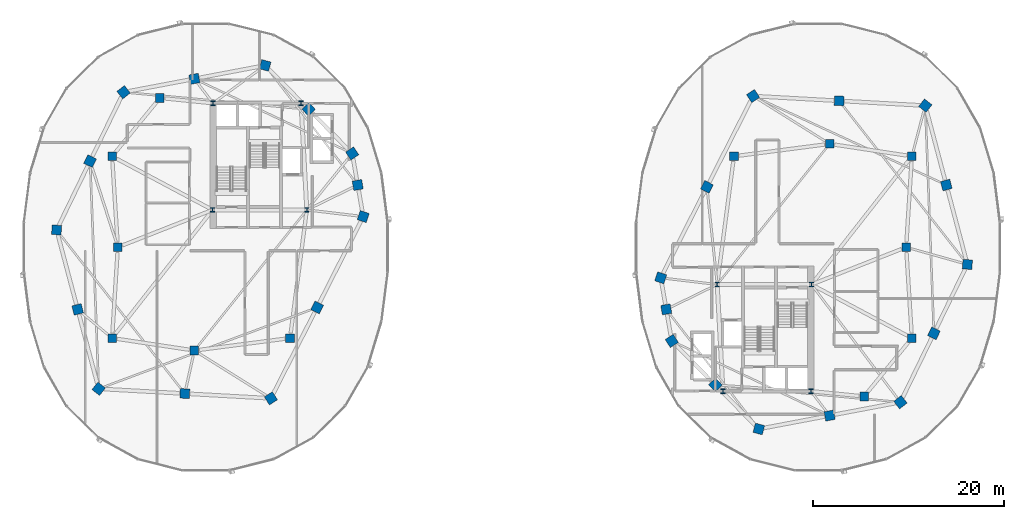
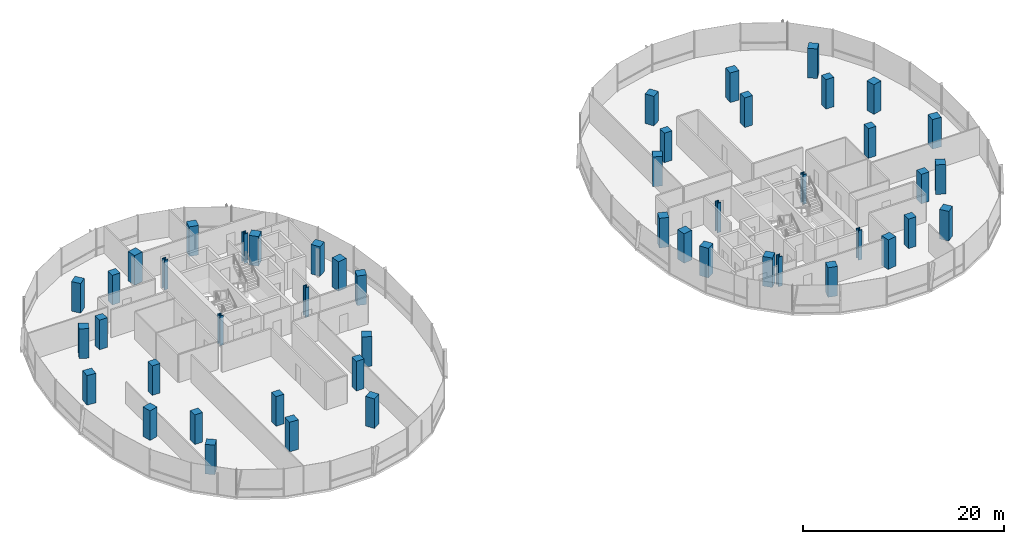
# One storey, part 1 of 22: 48 columns.
"""IFC4 building model written with IfcOpenShell, lengths in metres."""

from ifc_helpers import new_model, si_unit, direction, frame, origin, origin_2d, place, context, subcontext, project, spatial, rectangle, i_section, extrude, material, material_profile, profile_set, type_object, element, save


model = new_model("IFC4")

# Units and contexts
model_context = context("Model", 3, precision=1e-05, world=origin(), true_north=direction((0.0, 1.0)))
body_context = subcontext(model_context, "Body", "Model", "MODEL_VIEW")
ifc_project = project(units=[si_unit("LENGTHUNIT", "METRE"), si_unit("AREAUNIT", "SQUARE_METRE"), si_unit("VOLUMEUNIT", "CUBIC_METRE"), si_unit("PLANEANGLEUNIT", "RADIAN"), si_unit("MASSUNIT", "GRAM", prefix="KILO"), si_unit("THERMODYNAMICTEMPERATUREUNIT", "KELVIN"), si_unit("POWERUNIT", "WATT")], contexts=[model_context])

# Site, building, storey
site_placement = place(None, origin())
site = spatial("IfcSite", under=ifc_project, at=site_placement, CompositionType="ELEMENT")
building_placement = place(site_placement, origin())
building = spatial("IfcBuilding", under=site, at=building_placement, Name="Cundina Bronze Exchange", CompositionType="ELEMENT")
storey_placement = place(building_placement, frame((0.0, 0.0, 136.800048828125)))
storey = spatial("IfcBuildingStorey", under=building, at=storey_placement, Name="L35", CompositionType="ELEMENT", Elevation=136.800048828125)

# Columns
ifc_material_1 = material(Name="Steel ASTM A992 Grade 50", Category="steel")
ifc_material_profile_1 = material_profile(ifc_material_1, i_section(OverallWidth=0.431884765625, OverallDepth=0.498046875, WebThickness=0.0556640625, FlangeThickness=0.0888671875, FilletRadius=0.01806640625, at=origin_2d()), Name="W14X500", Category="steel")
ifc_profile_set_1 = profile_set([ifc_material_profile_1], Name="Steel ASTM A992 Grade 50")
column_type_1 = type_object("IfcColumnType", Name="COL-STL-W14A", PredefinedType="COLUMN", material=ifc_profile_set_1)
for number, where, z_axis, x_axis, name in (
    (1, (-31.300048828125, 3.89990234375, 0.0), (0.0, 0.0, 1.0), (1.0, 0.0, 0.0), "L35 Core Anchor Column W1"),
    (2, (-21.449951171875, 3.89990234375, 0.0), (0.0, 0.0, 1.0), (1.0, 0.0, 0.0), "L35 Core Anchor Column W2"),
    (3, (-22.050048828125, 15.050048828125, 0.0), (0.0, 0.0, 1.0), (1.0, 0.0, 0.0), "L35 Core Anchor Column W3"),
    (4, (-31.25, 15.050048828125, 0.0), (0.0, 0.0, 1.0), (1.0, 0.0, 0.0), "L35 Core Anchor Column W4"),
    (5, (31.300048828125, -3.89990234375, 0.0), (0.0, 0.0, 1.0), (1.0, 0.0, 0.0), "L35 Core Anchor Column E1"),
    (6, (21.449951171875, -3.89990234375, 0.0), (0.0, 0.0, 1.0), (1.0, 0.0, 0.0), "L35 Core Anchor Column E2"),
    (7, (22.050048828125, -15.050048828125, 0.0), (0.0, 0.0, 1.0), (1.0, 0.0, 0.0), "L35 Core Anchor Column E3"),
    (8, (31.25, -15.050048828125, 0.0), (0.0, 0.0, 1.0), (1.0, 0.0, 0.0), "L35 Core Anchor Column E4"),
):
    element("IfcColumn", number, at=place(storey_placement, frame(where, z_axis=z_axis, x_axis=x_axis)), inside=storey, type_object=column_type_1, Name=name, PredefinedType="COLUMN", context=body_context, shape_type="SweptSolid", body=[
        extrude(i_section(OverallWidth=0.431884765625, OverallDepth=0.498046875, WebThickness=0.0556640625, FlangeThickness=0.0888671875, FilletRadius=0.01806640625, at=origin_2d()), origin(), (0.0, 0.0, 1.0), 3.599853515625),
    ])
ifc_material_2 = material(Name="Concrete C50/60", Category="concrete")
ifc_material_profile_2 = material_profile(ifc_material_2, rectangle(XDim=1.0, YDim=1.0, at=origin_2d()), Name="RC1000X1000", Category="concrete")
ifc_profile_set_2 = profile_set([ifc_material_profile_2], Name="Concrete C50/60")
column_type_2 = type_object("IfcColumnType", Name="COL-Z3-1000", PredefinedType="COLUMN", material=ifc_profile_set_2)
for number, where, z_axis, x_axis, name in (
    (9, (-15.550048828125, 3.199951171875, 0.0), (0.0, 0.0, 1.0), (0.315152163383, 0.949041155016, 0.0), "L35 W Perimeter Column 00"),
    (10, (-16.125, 6.5, 0.0), (0.0, 0.0, 1.0), (-0.171585221787, 0.985169280715, 0.0), "L35 W Perimeter Column 01"),
    (11, (-16.699951171875, 9.800048828125, 0.0), (0.0, 0.0, 1.0), (-0.544199833495, 0.838955625301, 0.0), "L35 W Perimeter Column 02"),
    (12, (-21.25, 14.39990234375, 0.0), (0.0, 0.0, 1.0), (-0.703270634186, 0.710922228581, 0.0), "L35 W Perimeter Column 03"),
    (13, (-25.800048828125, 19.0, 0.0), (0.0, 0.0, 1.0), (-0.965970984022, 0.258650455301, 0.0), "L35 W Perimeter Column 04"),
    (14, (-33.199951171875, 17.60009765625, 0.0), (0.0, 0.0, 1.0), (-0.98258037664, -0.185838110843, 0.0), "L35 W Perimeter Column 05"),
    (15, (-40.60009765625, 16.199951171875, 0.0), (0.0, 0.0, 1.0), (-0.785100778485, -0.619368038909, 0.0), "L35 W Perimeter Column 06"),
    (16, (-44.10009765625, 9.0, 0.0), (0.0, 0.0, 1.0), (-0.437115766651, -0.899405251566, 0.0), "L35 W Perimeter Column 07"),
    (17, (-47.60009765625, 1.800048828125, 0.0), (0.0, 0.0, 1.0), (-0.083503921245, -0.996507448611, 0.0), "L35 W Perimeter Column 08"),
    (18, (-45.39990234375, -6.5, 0.0), (0.0, 0.0, 1.0), (0.256289373133, -0.966600102017, 0.0), "L35 W Perimeter Column 09"),
    (19, (-43.199951171875, -14.800048828125, 0.0), (0.0, 0.0, 1.0), (0.786288432137, -0.61785961309, 0.0), "L35 W Perimeter Column 10"),
    (20, (-34.199951171875, -15.300048828125, 0.0), (0.0, 0.0, 1.0), (0.998460188734, -0.055472980025, 0.0), "L35 W Perimeter Column 11"),
    (21, (-25.199951171875, -15.800048828125, 0.0), (0.0, 0.0, 1.0), (0.838099763533, 0.545516989988, 0.0), "L35 W Perimeter Column 12"),
    (22, (-20.375, -6.300048828125, 0.0), (0.0, 0.0, 1.0), (0.452901591366, 0.891560513111, 0.0), "L35 W Perimeter Column 13"),
    (23, (15.550048828125, -3.199951171875, 0.0), (0.0, 0.0, 1.0), (-0.315152163383, -0.949041155016, 0.0), "L35 E Perimeter Column 00"),
    (24, (16.125, -6.5, 0.0), (0.0, 0.0, 1.0), (0.171585221787, -0.985169280715, 0.0), "L35 E Perimeter Column 01"),
    (25, (16.699951171875, -9.800048828125, 0.0), (0.0, 0.0, 1.0), (0.544199833495, -0.838955625301, 0.0), "L35 E Perimeter Column 02"),
    (26, (21.25, -14.39990234375, 0.0), (0.0, 0.0, 1.0), (0.703270634186, -0.710922228581, 0.0), "L35 E Perimeter Column 03"),
    (27, (25.800048828125, -19.0, 0.0), (0.0, 0.0, 1.0), (0.965970984022, -0.258650455301, 0.0), "L35 E Perimeter Column 04"),
    (28, (33.199951171875, -17.60009765625, 0.0), (0.0, 0.0, 1.0), (0.98258037664, 0.185838110843, 0.0), "L35 E Perimeter Column 05"),
    (29, (40.60009765625, -16.199951171875, 0.0), (0.0, 0.0, 1.0), (0.785100778485, 0.619368038909, 0.0), "L35 E Perimeter Column 06"),
    (30, (44.10009765625, -9.0, 0.0), (0.0, 0.0, 1.0), (0.437115766651, 0.899405251566, 0.0), "L35 E Perimeter Column 07"),
    (31, (47.60009765625, -1.800048828125, 0.0), (0.0, 0.0, 1.0), (0.083503921245, 0.996507448611, 0.0), "L35 E Perimeter Column 08"),
    (32, (45.39990234375, 6.5, 0.0), (0.0, 0.0, 1.0), (-0.256289373133, 0.966600102017, 0.0), "L35 E Perimeter Column 09"),
    (33, (43.199951171875, 14.800048828125, 0.0), (0.0, 0.0, 1.0), (-0.786288432137, 0.61785961309, 0.0), "L35 E Perimeter Column 10"),
    (34, (34.199951171875, 15.300048828125, 0.0), (0.0, 0.0, 1.0), (-0.998460188734, 0.055472980025, 0.0), "L35 E Perimeter Column 11"),
    (35, (25.199951171875, 15.800048828125, 0.0), (0.0, 0.0, 1.0), (-0.838099763533, -0.545516989988, 0.0), "L35 E Perimeter Column 12"),
    (36, (20.375, 6.300048828125, 0.0), (0.0, 0.0, 1.0), (-0.452901591366, -0.891560513111, 0.0), "L35 E Perimeter Column 13"),
):
    element("IfcColumn", number, at=place(storey_placement, frame(where, z_axis=z_axis, x_axis=x_axis)), inside=storey, type_object=column_type_2, Name=name, PredefinedType="COLUMN", context=body_context, shape_type="SweptSolid", body=[
        extrude(rectangle(XDim=1.0, YDim=1.0, at=origin_2d()), origin(), (0.0, 0.0, 1.0), 3.599853515625),
    ])
ifc_material_profile_3 = material_profile(ifc_material_2, rectangle(XDim=0.89990234375, YDim=0.89990234375, at=origin_2d()), Name="RC900X900", Category="concrete")
ifc_profile_set_3 = profile_set([ifc_material_profile_3], Name="Concrete C50/60")
column_type_3 = type_object("IfcColumnType", Name="COL-Z4-900", PredefinedType="COLUMN", material=ifc_profile_set_3)
for number, where, z_axis, x_axis, name in (
    (37, (-41.199951171875, 0.0, 0.0), (0.0, 0.0, 1.0), (1.0, 0.0, 0.0), "L35 W Inner Ring Column 1"),
    (38, (-41.800048828125, 9.5, 0.0), (0.0, 0.0, 1.0), (1.0, 0.0, 0.0), "L35 W Inner Ring Column 2"),
    (39, (-36.800048828125, 15.60009765625, 0.0), (0.0, 0.0, 1.0), (1.0, 0.0, 0.0), "L35 W Inner Ring Column 3"),
    (40, (-41.800048828125, -9.5, 0.0), (0.0, 0.0, 1.0), (1.0, 0.0, 0.0), "L35 W Inner Ring Column 4"),
    (41, (-33.199951171875, -10.800048828125, 0.0), (0.0, 0.0, 1.0), (1.0, 0.0, 0.0), "L35 W Inner Ring Column 5"),
    (42, (-23.199951171875, -9.5, 0.0), (0.0, 0.0, 1.0), (1.0, 0.0, 0.0), "L35 W Inner Ring Column 6"),
    (43, (41.199951171875, 0.0, 0.0), (0.0, 0.0, 1.0), (1.0, 0.0, 0.0), "L35 E Inner Ring Column 1"),
    (44, (41.800048828125, -9.5, 0.0), (0.0, 0.0, 1.0), (1.0, 0.0, 0.0), "L35 E Inner Ring Column 2"),
    (45, (36.800048828125, -15.60009765625, 0.0), (0.0, 0.0, 1.0), (1.0, 0.0, 0.0), "L35 E Inner Ring Column 3"),
    (46, (41.800048828125, 9.5, 0.0), (0.0, 0.0, 1.0), (1.0, 0.0, 0.0), "L35 E Inner Ring Column 4"),
    (47, (33.199951171875, 10.800048828125, 0.0), (0.0, 0.0, 1.0), (1.0, 0.0, 0.0), "L35 E Inner Ring Column 5"),
    (48, (23.199951171875, 9.5, 0.0), (0.0, 0.0, 1.0), (1.0, 0.0, 0.0), "L35 E Inner Ring Column 6"),
):
    element("IfcColumn", number, at=place(storey_placement, frame(where, z_axis=z_axis, x_axis=x_axis)), inside=storey, type_object=column_type_3, Name=name, PredefinedType="COLUMN", context=body_context, shape_type="SweptSolid", body=[
        extrude(rectangle(XDim=0.89990234375, YDim=0.89990234375, at=origin_2d()), origin(), (0.0, 0.0, 1.0), 3.599853515625),
    ])

save(model, "model.ifc")
